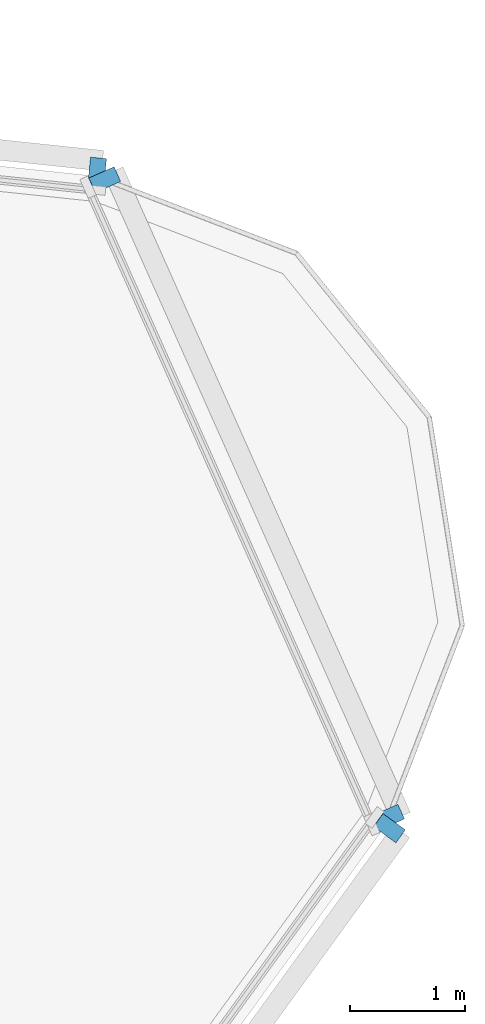
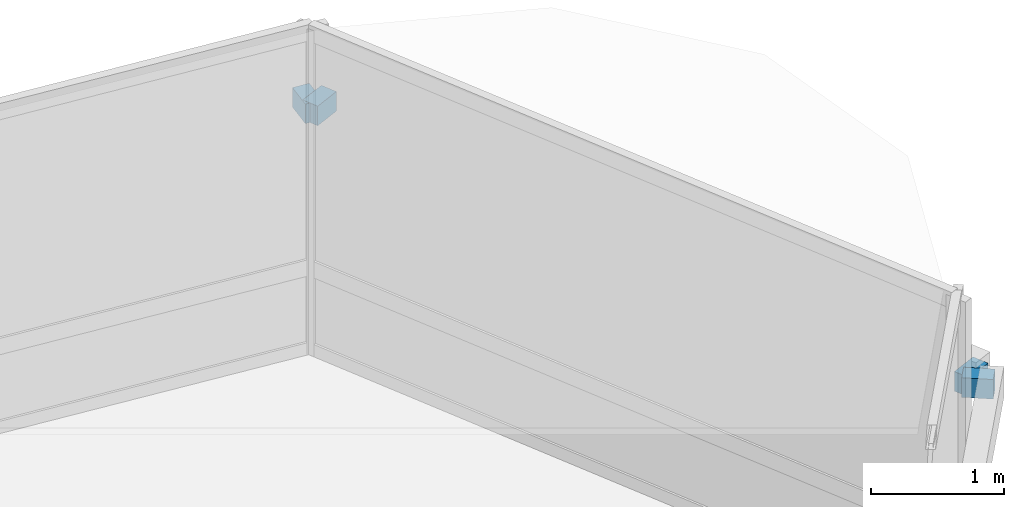
# One storey, part 11 of 15: 4 discrete accessories.
"""IFC4 building model written with IfcOpenShell, lengths in metres."""

from ifc_helpers import new_model, si_unit, direction, frame, origin, origin_2d, place, context, subcontext, project, spatial, rectangle, extrude, material, type_object, element, save


model = new_model("IFC4")

# Units and contexts
model_context = context("Model", 3, precision=1e-05, world=origin(), true_north=direction((0.0, 1.0)))
body_context = subcontext(model_context, "Body", "Model", "MODEL_VIEW")
ifc_project = project(units=[si_unit("LENGTHUNIT", "METRE"), si_unit("AREAUNIT", "SQUARE_METRE"), si_unit("VOLUMEUNIT", "CUBIC_METRE"), si_unit("PLANEANGLEUNIT", "RADIAN"), si_unit("MASSUNIT", "GRAM", prefix="KILO")], contexts=[model_context])

# Site, building, storey
site_placement = place(None, origin())
site = spatial("IfcSite", under=ifc_project, at=site_placement, CompositionType="ELEMENT")
building_placement = place(site_placement, origin())
building = spatial("IfcBuilding", under=site, at=building_placement, Name="Terralouvre Media Tower", CompositionType="ELEMENT")
storey_placement = place(building_placement, frame((0.0, 0.0, 230.0)))
storey = spatial("IfcBuildingStorey", under=building, at=storey_placement, Name="L59", CompositionType="ELEMENT", Elevation=230.0)

# Discrete accessories
ifc_material = material(Name="Anodised extruded aluminium 6063-T6", Category="aluminium")
discrete_accessory_type = type_object("IfcDiscreteAccessoryType", Name="Mullion Stand-Off Baguette Fixing Bracket BK-01", PredefinedType="BRACKET", material=ifc_material)
for number, where, z_axis, x_axis, name in (
    (1, (26.880615234375, 8.544189453125, 2.07421875), (0.0, 0.0, 1.0), (0.587785300879, 0.809016959074, 0.0), "CW-L59-F0 Baguette Outrigger Bracket 1.06"),
    (2, (24.336181640625, 14.259033203125, 2.07421875), (0.0, 0.0, 1.0), (-0.994521885028, 0.104528561651, 0.0), "CW-L59-F1 Baguette Outrigger Bracket 1.01"),
    (3, (26.873291015625, 8.640380859375, 2.07421875), (0.0, 0.0, 1.0), (-0.406737441315, 0.913545102243, 0.0), "CW-L59-C1 Baguette Outrigger Bracket 1.01"),
    (4, (24.40283203125, 14.189208984375, 2.07421875), (0.0, 0.0, 1.0), (-0.406737441315, 0.913545102243, 0.0), "CW-L59-C1 Baguette Outrigger Bracket 1.02"),
):
    element("IfcDiscreteAccessory", number, at=place(storey_placement, frame(where, z_axis=z_axis, x_axis=x_axis)), inside=storey, type_object=discrete_accessory_type, Name=name, PredefinedType="BRACKET", context=body_context, shape_type="SweptSolid", body=[
        extrude(rectangle(XDim=0.139892578125, YDim=0.239990234375, at=origin_2d()), origin(), (0.0, 0.0, 1.0), 0.179931640625),
    ])

save(model, "model.ifc")
